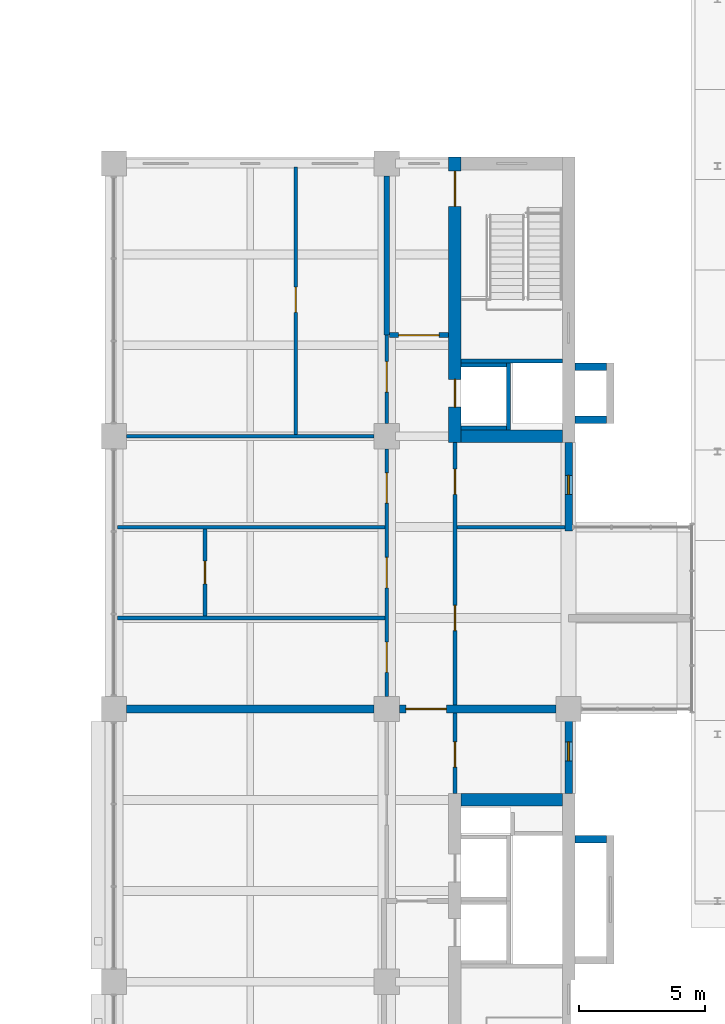
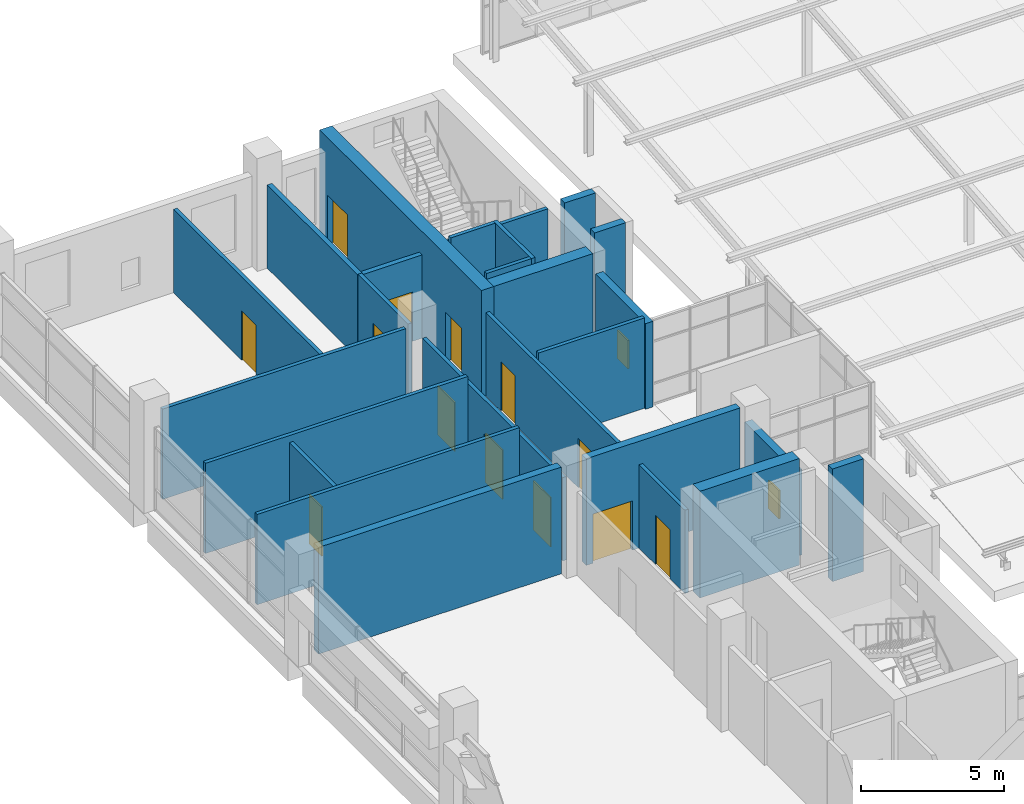
# One storey, part 39 of 44: 26 walls, 13 doors, 2 windows, 15 openings.
"""IFC4 building model written with IfcOpenShell, lengths in metres."""

import ifcopenshell
import ifcopenshell.guid

model = None  # the IFC model being written
_history = None  # IfcOwnerHistory: only IFC2X3 demands one
_inside = {}  # id of a spatial element -> (the spatial element, [elements in it])
_under = {}  # id of a project, library or spatial element -> (it, [spatial elements below it])
_declared = {}  # id of a project -> (the project, [libraries it declares])
_typed = {}  # id of a type object -> (the type object, [elements of that type])
_made_of = {}  # id of a material, layer set ... -> (it, [elements and type objects made of it])


def new_model(schema):
    """Start an empty IFC model of exactly this schema.

    Asked for "IFC4X3", IfcOpenShell would pick the latest addendum, in which some entities
    have other attributes; the version numbers below select the first issue.
    IFC2X3 requires an IfcOwnerHistory on every rooted entity: one is made here for all.
    """
    global model, _history
    if schema == "IFC4X3":
        model = ifcopenshell.file(schema_version=(4, 3, 0, 0))
    else:
        model = ifcopenshell.file(schema=schema)
    _inside.clear()
    _under.clear()
    _declared.clear()
    _typed.clear()
    _made_of.clear()
    _history = None
    if model.schema == "IFC2X3":
        org = make("IfcOrganization", Name="unknown")
        user = make(
            "IfcPersonAndOrganization",
            ThePerson=make("IfcPerson", FamilyName="unknown"),
            TheOrganization=org,
        )
        app = make(
            "IfcApplication",
            ApplicationDeveloper=org,
            Version="unknown",
            ApplicationFullName="unknown",
            ApplicationIdentifier="unknown",
        )
        _history = make(
            "IfcOwnerHistory",
            OwningUser=user,
            OwningApplication=app,
            ChangeAction="ADDED",
            CreationDate=0,
        )
    return model


def make(cls, **values):
    """One entity of the class cls with the attributes given. An attribute that is None is left unset."""
    return model.create_entity(
        cls, **{name: value for name, value in values.items() if value is not None}
    )


def rooted(cls, **values):
    """An entity with a GlobalId (a new one), such as an element, a storey or a relation."""
    return make(cls, GlobalId=ifcopenshell.guid.new(), OwnerHistory=_history, **values)


def si_unit(unit_type, name, prefix=None):
    """IfcSIUnit, for example si_unit("LENGTHUNIT", "METRE", prefix="MILLI")."""
    return make("IfcSIUnit", UnitType=unit_type, Prefix=prefix, Name=name)


def assignment(units):
    """IfcUnitAssignment: the units of a project."""
    return None if units is None else make("IfcUnitAssignment", Units=units)


def point(xyz):
    """IfcCartesianPoint."""
    return None if xyz is None else make("IfcCartesianPoint", Coordinates=xyz)


def direction(xyz):
    """IfcDirection."""
    return None if xyz is None else make("IfcDirection", DirectionRatios=xyz)


def frame(location, z_axis=None, x_axis=None):
    """IfcAxis2Placement3D, a coordinate frame: its origin and axes. An axis left out is left unset."""
    return make(
        "IfcAxis2Placement3D",
        Location=point(location),
        Axis=direction(z_axis),
        RefDirection=direction(x_axis),
    )


def frame_2d(location, x_axis=None):
    """IfcAxis2Placement2D, a coordinate frame in the plane: its origin and x axis."""
    return make(
        "IfcAxis2Placement2D", Location=point(location), RefDirection=direction(x_axis)
    )


def origin():
    """The frame at (0, 0, 0) with its axes left unset."""
    return frame((0.0, 0.0, 0.0))


def place(relative_to, where):
    """IfcLocalPlacement: puts the frame where relative to a parent placement (None: the world)."""
    return make(
        "IfcLocalPlacement", PlacementRelTo=relative_to, RelativePlacement=where
    )


def context(
    kind, dimensions, precision=None, world=None, true_north=None, identifier=None
):
    """IfcGeometricRepresentationContext, for example the 3D "Model" context."""
    return make(
        "IfcGeometricRepresentationContext",
        ContextIdentifier=identifier,
        ContextType=kind,
        CoordinateSpaceDimension=dimensions,
        Precision=precision,
        WorldCoordinateSystem=world,
        TrueNorth=true_north,
    )


def subcontext(parent, identifier, kind, view, scale=None):
    """IfcGeometricRepresentationSubContext, for example "Body" below "Model"."""
    return make(
        "IfcGeometricRepresentationSubContext",
        ContextIdentifier=identifier,
        ContextType=kind,
        ParentContext=parent,
        TargetScale=scale,
        TargetView=view,
    )


def project(units=None, contexts=None):
    """IfcProject with its units and contexts."""
    return rooted(
        "IfcProject",
        Name="project",
        RepresentationContexts=contexts,
        UnitsInContext=assignment(units),
    )


def spatial(cls, under=None, at=None, **own):
    """A site, building, storey or space (cls), placed at a placement, below another one or the project."""
    s = rooted(cls, ObjectPlacement=at, **own)
    if under is not None:
        _under.setdefault(under.id(), (under, []))[1].append(s)
    return s


def profile(cls, at=None, kind="AREA", **sizes):
    """A parametric profile (cls). Its sizes go by their IFC names, for example OverallWidth=200.0."""
    return make(cls, ProfileType=kind, Position=at, **sizes)


def rectangle(**sizes):
    """IfcRectangleProfileDef."""
    return profile("IfcRectangleProfileDef", **sizes)


def extrude(swept, where, along, depth):
    """IfcExtrudedAreaSolid: the profile swept, set in the frame where, extruded along a direction by depth."""
    return make(
        "IfcExtrudedAreaSolid",
        SweptArea=swept,
        Position=where,
        ExtrudedDirection=direction(along),
        Depth=depth,
    )


def shape(context_of_items, identifier, shape_type, items):
    """IfcShapeRepresentation: the items that make up one representation, for example the "Body"."""
    return make(
        "IfcShapeRepresentation",
        ContextOfItems=context_of_items,
        RepresentationIdentifier=identifier,
        RepresentationType=shape_type,
        Items=items,
    )


def material(Name=None, Category=None):
    """IfcMaterial."""
    return make("IfcMaterial", Name=Name, Category=Category)


def layer(
    of_material, thickness, ventilated=None, Name=None, Category=None, Priority=None
):
    """IfcMaterialLayer: one layer of a wall or slab, of a material (None: an air gap)."""
    return make(
        "IfcMaterialLayer",
        Material=of_material,
        LayerThickness=thickness,
        IsVentilated=ventilated,
        Name=Name,
        Category=Category,
        Priority=Priority,
    )


def layer_set(layers, Name=None):
    """IfcMaterialLayerSet."""
    return make("IfcMaterialLayerSet", MaterialLayers=layers, LayerSetName=Name)


def made_of(thing, what):
    """Note that an element or type object is made of a material, layer set ...; save() writes the relation."""
    if what is not None:
        _made_of.setdefault(what.id(), (what, []))[1].append(thing)
    return thing


def type_object(cls, material=None, **own):
    """A type object (cls), such as IfcWallType, which elements share."""
    return made_of(rooted(cls, **own), material)


def element(
    cls,
    number,
    at=None,
    inside=None,
    cuts=None,
    type_object=None,
    material=None,
    context=None,
    identifier="Body",
    shape_type=None,
    held_by="IfcProductDefinitionShape",
    body=None,
    shapes=None,
    **own,
):
    """One element of the class cls, such as IfcWall. Its Tag is "e" and its number.

    at: its placement. inside: the storey or other place that contains it. cuts: it is an
    opening in that element (IfcRelVoidsElement). A single representation is given by context,
    identifier, shape_type and body (its items); several are given by shapes. held_by: the class
    of the entity that holds the representations. save() writes the other relations.
    """
    e = rooted(cls, Tag="e%d" % number, ObjectPlacement=at, **own)
    if body is not None:
        shapes = [shape(context, identifier, shape_type, body)]
    if shapes is not None:
        e.Representation = make(held_by, Representations=shapes)
    if inside is not None:
        _inside.setdefault(inside.id(), (inside, []))[1].append(e)
    if cuts is not None:
        rooted(
            "IfcRelVoidsElement", RelatingBuildingElement=cuts, RelatedOpeningElement=e
        )
    if type_object is not None:
        _typed.setdefault(type_object.id(), (type_object, []))[1].append(e)
    return made_of(e, material)


def fill(opening, filler):
    """IfcRelFillsElement: the door or window that sits in an opening."""
    return rooted(
        "IfcRelFillsElement",
        RelatingOpeningElement=opening,
        RelatedBuildingElement=filler,
    )


def aggregate(whole, parts):
    """IfcRelAggregates: a whole, such as a stair, and the parts it consists of."""
    return rooted("IfcRelAggregates", RelatingObject=whole, RelatedObjects=parts)


def save(model, path):
    """Write the relations noted so far, then the file.

    IfcRelAggregates (storeys below a building ...), IfcRelContainedInSpatialStructure (elements
    in a storey), IfcRelDefinesByType, IfcRelAssociatesMaterial and IfcRelDeclares: one each for
    every whole, place, type object, material and project.
    """
    for whole, parts in _under.values():
        aggregate(whole, parts)
    for where, things in _inside.values():
        rooted(
            "IfcRelContainedInSpatialStructure",
            RelatedElements=things,
            RelatingStructure=where,
        )
    for kind, things in _typed.values():
        rooted("IfcRelDefinesByType", RelatedObjects=things, RelatingType=kind)
    for what, things in _made_of.values():
        rooted("IfcRelAssociatesMaterial", RelatedObjects=things, RelatingMaterial=what)
    for by, libraries in _declared.values():
        rooted("IfcRelDeclares", RelatingContext=by, RelatedDefinitions=libraries)
    model.write(path)


model = new_model("IFC4")

# Units and contexts
model_context = context("Model", 3, precision=1e-05, world=origin(), true_north=direction((0.0, 1.0)))
body_context = subcontext(model_context, "Body", "Model", "MODEL_VIEW")
ifc_project = project(units=[si_unit("LENGTHUNIT", "METRE"), si_unit("AREAUNIT", "SQUARE_METRE"), si_unit("VOLUMEUNIT", "CUBIC_METRE"), si_unit("PLANEANGLEUNIT", "RADIAN"), si_unit("MASSUNIT", "GRAM", prefix="KILO")], contexts=[model_context])

# Site, building, storey
site_placement = place(None, origin())
site = spatial("IfcSite", under=ifc_project, at=site_placement, CompositionType="ELEMENT")
building_placement = place(site_placement, origin())
building = spatial("IfcBuilding", under=site, at=building_placement, Name="Basin Gate Institute", CompositionType="ELEMENT")
storey_placement = place(building_placement, frame((0.0, 0.0, 27.0)))
storey = spatial("IfcBuildingStorey", under=building, at=storey_placement, Name="L05", CompositionType="ELEMENT", Elevation=27.0)

# Wall, opening, door
ifc_material_1 = material(Name="Fire-rated masonry", Category="masonry")
ifc_layer_1 = layer(ifc_material_1, 0.199951171875)
ifc_layer_set_1 = layer_set([ifc_layer_1], Name="Enclosure wall PW2 200 EI 60")
wall_type_1 = type_object("IfcWallType", Name="Enclosure wall PW2 200 EI 60", PredefinedType="PARTITIONING", material=ifc_layer_set_1)
wall_1_placement = place(storey_placement, frame((114.050048828125, 93.10009765625, 0.0), z_axis=(0.0, 0.0, 1.0), x_axis=(-1.0, 0.0, 0.0)))
wall_1 = element("IfcWall", 1, at=wall_1_placement, inside=storey, type_object=wall_type_1, material=ifc_layer_set_1, Name="Smoke lobby enclosure wall PW2 L05", PredefinedType="PARTITIONING", context=body_context, shape_type="SweptSolid", body=[
    extrude(rectangle(XDim=2.35009765625, YDim=0.199951171875, at=frame_2d((1.175048828125, 0.0))), origin(), (0.0, 0.0, 1.0), 3.550048828125),
])
opening_1_placement = place(wall_1_placement, frame((0.375, 0.0, 0.0)))
opening_1 = element("IfcOpeningElement", 2, at=opening_1_placement, cuts=wall_1, Name="Opening DR264", PredefinedType="OPENING", context=body_context, shape_type="SweptSolid", body=[
    extrude(rectangle(XDim=1.60009765625, YDim=2.10009765625, at=frame_2d((0.800048828125, 1.050048828125))), frame((0.0, 0.10986328125, 0.0), z_axis=(0.0, -1.0, 0.0), x_axis=(1.0, 0.0, 0.0)), (0.0, 0.0, 1.0), 0.219970703125),
])
ifc_material_2 = material(Name="Steel fire door", Category="steel")
door_type_1 = type_object("IfcDoorType", Name="FD60 Smoke lobby door pair D8", OperationType="DOUBLE_DOOR_SINGLE_SWING", PredefinedType="DOOR", material=ifc_material_2)
door_1_placement = place(opening_1_placement, frame((1.60009765625, 0.0, 0.0), z_axis=(0.0, 0.0, 1.0), x_axis=(-1.0, 0.0, 0.0)))
door_1 = element("IfcDoor", 3, at=door_1_placement, inside=storey, type_object=door_type_1, material=ifc_material_2, Name="Smoke lobby door SS6 L05", OperationType="DOUBLE_DOOR_SINGLE_SWING", OverallHeight=2.10009765625, OverallWidth=1.60009765625, PredefinedType="DOOR", context=body_context, shape_type="SweptSolid", body=[
    extrude(rectangle(XDim=1.60009765625, YDim=2.10009765625, at=frame_2d((0.800048828125, 1.050048828125))), frame((0.0, 0.02490234375, 0.0), z_axis=(0.0, -1.0, 0.0), x_axis=(1.0, 0.0, 0.0)), (0.0, 0.0, 1.0), 0.050048828125),
])
fill(opening_1, door_1)

# Wall
wall_2_placement = place(storey_placement, frame((111.60009765625, 93.10009765625, 0.0), z_axis=(0.0, 0.0, 1.0), x_axis=(0.0, 1.0, 0.0)))
element("IfcWall", 4, at=wall_2_placement, inside=storey, type_object=wall_type_1, material=ifc_layer_set_1, Name="Smoke lobby enclosure wall PW2 L05", PredefinedType="PARTITIONING", context=body_context, shape_type="SweptSolid", body=[
    extrude(rectangle(XDim=6.2998046875, YDim=0.199951171875, at=frame_2d((3.14990234375, 0.0))), origin(), (0.0, 0.0, 1.0), 3.550048828125),
])

# Wall, opening, window
ifc_material_3 = material(Name="Aluminium-faced insulated panel wall", Category="aluminium")
ifc_layer_2 = layer(ifc_material_3, 0.300048828125)
ifc_layer_set_2 = layer_set([ifc_layer_2], Name="External wall EW1 EI 120")
wall_type_2 = type_object("IfcWallType", Name="External wall EW1 EI 120", PredefinedType="STANDARD", material=ifc_layer_set_2)
wall_3_placement = place(storey_placement, frame((118.800048828125, 74.949951171875, 0.0), z_axis=(0.0, 0.0, 1.0), x_axis=(0.0, 1.0, 0.0)))
wall_3 = element("IfcWall", 5, at=wall_3_placement, inside=storey, type_object=wall_type_2, material=ifc_layer_set_2, Name="External wall E facade L05 1", PredefinedType="STANDARD", context=body_context, shape_type="SweptSolid", body=[
    extrude(rectangle(XDim=3.5, YDim=0.300048828125, at=frame_2d((1.75, 0.0))), origin(), (0.0, 0.0, 1.0), 3.64990234375),
])
opening_2_placement = place(wall_3_placement, frame((1.300048828125, 0.0, 0.800048828125)))
opening_2 = element("IfcOpeningElement", 6, at=opening_2_placement, cuts=wall_3, Name="Opening WN3", PredefinedType="OPENING", context=body_context, shape_type="SweptSolid", body=[
    extrude(rectangle(XDim=0.75, YDim=1.199951171875, at=frame_2d((0.375, 0.60009765625))), frame((0.0, 0.16015625, 0.0), z_axis=(0.0, -1.0, 0.0), x_axis=(1.0, 0.0, 0.0)), (0.0, 0.0, 1.0), 0.320068359375),
])
ifc_material_4 = material(Name="Aluminium-framed double glazing", Category="aluminium")
window_type = type_object("IfcWindowType", Name="Emergency entry panel WN3", PartitioningType="SINGLE_PANEL", PredefinedType="WINDOW", material=ifc_material_4)
window_1_placement = place(opening_2_placement, origin())
window_1 = element("IfcWindow", 7, at=window_1_placement, inside=storey, type_object=window_type, material=ifc_material_4, Name="Emergency entry panel E facade L05 bay 12", OverallHeight=1.199951171875, OverallWidth=0.75, PartitioningType="SINGLE_PANEL", PredefinedType="WINDOW", context=body_context, shape_type="SweptSolid", body=[
    extrude(rectangle(XDim=0.75, YDim=1.199951171875, at=frame_2d((0.375, 0.60009765625))), frame((0.0, 0.030029296875, 0.0), z_axis=(0.0, -1.0, 0.0), x_axis=(1.0, 0.0, 0.0)), (0.0, 0.0, 1.0), 0.06005859375),
])
fill(opening_2, window_1)

wall_4_placement = place(storey_placement, frame((118.800048828125, 85.35009765625, 0.0), z_axis=(0.0, 0.0, 1.0), x_axis=(0.0, 1.0, 0.0)))
wall_4 = element("IfcWall", 8, at=wall_4_placement, inside=storey, type_object=wall_type_2, material=ifc_layer_set_2, Name="External wall E facade L05 2", PredefinedType="STANDARD", context=body_context, shape_type="SweptSolid", body=[
    extrude(rectangle(XDim=3.5, YDim=0.300048828125, at=frame_2d((1.75, 0.0))), origin(), (0.0, 0.0, 1.0), 3.64990234375),
])
opening_3_placement = place(wall_4_placement, frame((1.449951171875, 0.0, 0.800048828125)))
opening_3 = element("IfcOpeningElement", 9, at=opening_3_placement, cuts=wall_4, Name="Opening WN3", PredefinedType="OPENING", context=body_context, shape_type="SweptSolid", body=[
    extrude(rectangle(XDim=0.75, YDim=1.199951171875, at=frame_2d((0.375, 0.60009765625))), frame((0.0, 0.16015625, 0.0), z_axis=(0.0, -1.0, 0.0), x_axis=(1.0, 0.0, 0.0)), (0.0, 0.0, 1.0), 0.320068359375),
])
window_2_placement = place(opening_3_placement, origin())
window_2 = element("IfcWindow", 10, at=window_2_placement, inside=storey, type_object=window_type, material=ifc_material_4, Name="Emergency entry panel E facade L05 bay 15", OverallHeight=1.199951171875, OverallWidth=0.75, PartitioningType="SINGLE_PANEL", PredefinedType="WINDOW", context=body_context, shape_type="SweptSolid", body=[
    extrude(rectangle(XDim=0.75, YDim=1.199951171875, at=frame_2d((0.375, 0.60009765625))), frame((0.0, 0.030029296875, 0.0), z_axis=(0.0, -1.0, 0.0), x_axis=(1.0, 0.0, 0.0)), (0.0, 0.0, 1.0), 0.06005859375),
])
fill(opening_3, window_2)

# Wall, opening, door
ifc_material_5 = material(Name="Gypsum board on steel stud", Category="steel")
ifc_layer_3 = layer(ifc_material_5, 0.14990234375)
ifc_layer_set_3 = layer_set([ifc_layer_3], Name="Gypsum board on steel stud")
wall_type_3 = type_object("IfcWallType", Name="Partition PW1 150 EI 60", PredefinedType="PARTITIONING", material=ifc_layer_set_3)
wall_5_placement = place(storey_placement, frame((114.300048828125, 74.949951171875, 0.0), z_axis=(0.0, 0.0, 1.0), x_axis=(0.0, 1.0, 0.0)))
wall_5 = element("IfcWall", 11, at=wall_5_placement, inside=storey, type_object=wall_type_3, material=ifc_layer_set_3, Name="Corridor wall PW1 L05", PredefinedType="PARTITIONING", context=body_context, shape_type="SweptSolid", body=[
    extrude(rectangle(XDim=3.199951171875, YDim=0.14990234375, at=frame_2d((1.60009765625, 0.0))), origin(), (0.0, 0.0, 1.0), 3.550048828125),
])
opening_4_placement = place(wall_5_placement, frame((1.050048828125, 0.0, 0.0)))
opening_4 = element("IfcOpeningElement", 12, at=opening_4_placement, cuts=wall_5, Name="Opening DR257", PredefinedType="OPENING", context=body_context, shape_type="SweptSolid", body=[
    extrude(rectangle(XDim=1.0, YDim=2.10009765625, at=frame_2d((0.5, 1.050048828125))), frame((0.0, 0.0849609375, 0.0), z_axis=(0.0, -1.0, 0.0), x_axis=(1.0, 0.0, 0.0)), (0.0, 0.0, 1.0), 0.169921875),
])
ifc_material_6 = material(Name="Timber fire door", Category="wood")
door_type_2 = type_object("IfcDoorType", Name="FD30 Toilet door D3", OperationType="NOTDEFINED", PredefinedType="DOOR", material=ifc_material_6)
door_2_placement = place(opening_4_placement, frame((1.0, 0.0, 0.0), z_axis=(0.0, 0.0, 1.0), x_axis=(-1.0, 0.0, 0.0)))
door_2 = element("IfcDoor", 13, at=door_2_placement, inside=storey, type_object=door_type_2, material=ifc_material_6, Name="Door to Male WC L05", OperationType="SINGLE_SWING_RIGHT", OverallHeight=2.10009765625, OverallWidth=1.0, PredefinedType="DOOR", context=body_context, shape_type="SweptSolid", body=[
    extrude(rectangle(XDim=1.0, YDim=2.10009765625, at=frame_2d((0.5, 1.050048828125))), frame((0.0, 0.02490234375, 0.0), z_axis=(0.0, -1.0, 0.0), x_axis=(1.0, 0.0, 0.0)), (0.0, 0.0, 1.0), 0.050048828125),
])
fill(opening_4, door_2)

# Wall, openings, doors
wall_6_placement = place(storey_placement, frame((114.300048828125, 78.449951171875, 0.0), z_axis=(0.0, 0.0, 1.0), x_axis=(0.0, 1.0, 0.0)))
wall_6 = element("IfcWall", 14, at=wall_6_placement, inside=storey, type_object=wall_type_3, material=ifc_layer_set_3, Name="Corridor wall PW1 L05", PredefinedType="PARTITIONING", context=body_context, shape_type="SweptSolid", body=[
    extrude(rectangle(XDim=10.400146484375, YDim=0.14990234375, at=frame_2d((5.2001953125, 0.0))), origin(), (0.0, 0.0, 1.0), 3.550048828125),
])
opening_5_placement = place(wall_6_placement, frame((8.35009765625, 0.0, 0.0)))
opening_5 = element("IfcOpeningElement", 15, at=opening_5_placement, cuts=wall_6, Name="Opening DR250", PredefinedType="OPENING", context=body_context, shape_type="SweptSolid", body=[
    extrude(rectangle(XDim=1.0, YDim=2.10009765625, at=frame_2d((0.5, 1.050048828125))), frame((0.0, 0.0849609375, 0.0), z_axis=(0.0, -1.0, 0.0), x_axis=(1.0, 0.0, 0.0)), (0.0, 0.0, 1.0), 0.169921875),
])
opening_6_placement = place(wall_6_placement, frame((2.949951171875, 0.0, 0.0)))
opening_6 = element("IfcOpeningElement", 16, at=opening_6_placement, cuts=wall_6, Name="Opening DR258", PredefinedType="OPENING", context=body_context, shape_type="SweptSolid", body=[
    extrude(rectangle(XDim=1.0, YDim=2.10009765625, at=frame_2d((0.5, 1.050048828125))), frame((0.0, 0.0849609375, 0.0), z_axis=(0.0, -1.0, 0.0), x_axis=(1.0, 0.0, 0.0)), (0.0, 0.0, 1.0), 0.169921875),
])
ifc_material_7 = material(Name="Timber fire door", Category="wood")
door_type_3 = type_object("IfcDoorType", Name="FD30 Office door D1", OperationType="NOTDEFINED", PredefinedType="DOOR", material=ifc_material_7)
door_3_placement = place(opening_6_placement, frame((1.0, 0.0, 0.0), z_axis=(0.0, 0.0, 1.0), x_axis=(-1.0, 0.0, 0.0)))
door_3 = element("IfcDoor", 17, at=door_3_placement, inside=storey, type_object=door_type_3, material=ifc_material_7, Name="Door to Meeting Room 0554 L05", OperationType="SINGLE_SWING_RIGHT", OverallHeight=2.10009765625, OverallWidth=1.0, PredefinedType="DOOR", context=body_context, shape_type="SweptSolid", body=[
    extrude(rectangle(XDim=1.0, YDim=2.10009765625, at=frame_2d((0.5, 1.050048828125))), frame((0.0, 0.02490234375, 0.0), z_axis=(0.0, -1.0, 0.0), x_axis=(1.0, 0.0, 0.0)), (0.0, 0.0, 1.0), 0.050048828125),
])
fill(opening_6, door_3)
door_4_placement = place(opening_5_placement, frame((1.0, 0.0, 0.0), z_axis=(0.0, 0.0, 1.0), x_axis=(-1.0, 0.0, 0.0)))
door_4 = element("IfcDoor", 18, at=door_4_placement, inside=storey, type_object=door_type_2, material=ifc_material_6, Name="Door to Female WC L05", OperationType="SINGLE_SWING_LEFT", OverallHeight=2.10009765625, OverallWidth=1.0, PredefinedType="DOOR", context=body_context, shape_type="SweptSolid", body=[
    extrude(rectangle(XDim=1.0, YDim=2.10009765625, at=frame_2d((0.5, 1.050048828125))), frame((0.0, 0.02490234375, 0.0), z_axis=(0.0, -1.0, 0.0), x_axis=(1.0, 0.0, 0.0)), (0.0, 0.0, 1.0), 0.050048828125),
])
fill(opening_5, door_4)

wall_7_placement = place(storey_placement, frame((111.60009765625, 78.800048828125, 0.0), z_axis=(0.0, 0.0, 1.0), x_axis=(0.0, 1.0, 0.0)))
wall_7 = element("IfcWall", 19, at=wall_7_placement, inside=storey, type_object=wall_type_3, material=ifc_layer_set_3, Name="Laboratory corridor wall PW1 L05", PredefinedType="PARTITIONING", context=body_context, shape_type="SweptSolid", body=[
    extrude(rectangle(XDim=9.800048828125, YDim=0.14990234375, at=frame_2d((4.89990234375, 0.0))), origin(), (0.0, 0.0, 1.0), 3.550048828125),
])
opening_7_placement = place(wall_7_placement, frame((4.300048828125, 0.0, 0.0)))
opening_7 = element("IfcOpeningElement", 20, at=opening_7_placement, cuts=wall_7, Name="Opening DR247", PredefinedType="OPENING", context=body_context, shape_type="SweptSolid", body=[
    extrude(rectangle(XDim=1.199951171875, YDim=2.10009765625, at=frame_2d((0.60009765625, 1.050048828125))), frame((0.0, 0.0849609375, 0.0), z_axis=(0.0, -1.0, 0.0), x_axis=(1.0, 0.0, 0.0)), (0.0, 0.0, 1.0), 0.169921875),
])
opening_8_placement = place(wall_7_placement, frame((0.949951171875, 0.0, 0.0)))
opening_8 = element("IfcOpeningElement", 21, at=opening_8_placement, cuts=wall_7, Name="Opening DR254", PredefinedType="OPENING", context=body_context, shape_type="SweptSolid", body=[
    extrude(rectangle(XDim=1.199951171875, YDim=2.10009765625, at=frame_2d((0.60009765625, 1.050048828125))), frame((0.0, 0.0849609375, 0.0), z_axis=(0.0, -1.0, 0.0), x_axis=(1.0, 0.0, 0.0)), (0.0, 0.0, 1.0), 0.169921875),
])
opening_9_placement = place(wall_7_placement, frame((7.64990234375, 0.0, 0.0)))
opening_9 = element("IfcOpeningElement", 22, at=opening_9_placement, cuts=wall_7, Name="Opening DR255", PredefinedType="OPENING", context=body_context, shape_type="SweptSolid", body=[
    extrude(rectangle(XDim=1.199951171875, YDim=2.10009765625, at=frame_2d((0.60009765625, 1.050048828125))), frame((0.0, 0.0849609375, 0.0), z_axis=(0.0, -1.0, 0.0), x_axis=(1.0, 0.0, 0.0)), (0.0, 0.0, 1.0), 0.169921875),
])
ifc_material_8 = material(Name="Timber fire door", Category="wood")
door_type_4 = type_object("IfcDoorType", Name="FD30 Laboratory door D2", OperationType="DOUBLE_DOOR_SINGLE_SWING", PredefinedType="DOOR", material=ifc_material_8)
door_5_placement = place(opening_7_placement, origin())
door_5 = element("IfcDoor", 23, at=door_5_placement, inside=storey, type_object=door_type_4, material=ifc_material_8, Name="Door to Dry Laboratory 0569 L05", OperationType="DOUBLE_DOOR_SINGLE_SWING", OverallHeight=2.10009765625, OverallWidth=1.199951171875, PredefinedType="DOOR", context=body_context, shape_type="SweptSolid", body=[
    extrude(rectangle(XDim=1.199951171875, YDim=2.10009765625, at=frame_2d((0.60009765625, 1.050048828125))), frame((0.0, 0.02490234375, 0.0), z_axis=(0.0, -1.0, 0.0), x_axis=(1.0, 0.0, 0.0)), (0.0, 0.0, 1.0), 0.050048828125),
])
fill(opening_7, door_5)
door_6_placement = place(opening_8_placement, origin())
door_6 = element("IfcDoor", 24, at=door_6_placement, inside=storey, type_object=door_type_4, material=ifc_material_8, Name="Door to Instrument Room 0568 L05", OperationType="DOUBLE_DOOR_SINGLE_SWING", OverallHeight=2.10009765625, OverallWidth=1.199951171875, PredefinedType="DOOR", context=body_context, shape_type="SweptSolid", body=[
    extrude(rectangle(XDim=1.199951171875, YDim=2.10009765625, at=frame_2d((0.60009765625, 1.050048828125))), frame((0.0, 0.02490234375, 0.0), z_axis=(0.0, -1.0, 0.0), x_axis=(1.0, 0.0, 0.0)), (0.0, 0.0, 1.0), 0.050048828125),
])
fill(opening_8, door_6)
door_7_placement = place(opening_9_placement, origin())
door_7 = element("IfcDoor", 25, at=door_7_placement, inside=storey, type_object=door_type_4, material=ifc_material_8, Name="Door to Instrument Room 0571 L05", OperationType="DOUBLE_DOOR_SINGLE_SWING", OverallHeight=2.10009765625, OverallWidth=1.199951171875, PredefinedType="DOOR", context=body_context, shape_type="SweptSolid", body=[
    extrude(rectangle(XDim=1.199951171875, YDim=2.10009765625, at=frame_2d((0.60009765625, 1.050048828125))), frame((0.0, 0.02490234375, 0.0), z_axis=(0.0, -1.0, 0.0), x_axis=(1.0, 0.0, 0.0)), (0.0, 0.0, 1.0), 0.050048828125),
])
fill(opening_9, door_7)

# Wall, opening, door
wall_8_placement = place(storey_placement, frame((111.60009765625, 89.60009765625, 0.0), z_axis=(0.0, 0.0, 1.0), x_axis=(0.0, 1.0, 0.0)))
wall_8 = element("IfcWall", 26, at=wall_8_placement, inside=storey, type_object=wall_type_3, material=ifc_layer_set_3, Name="Laboratory corridor wall PW1 L05", PredefinedType="PARTITIONING", context=body_context, shape_type="SweptSolid", body=[
    extrude(rectangle(XDim=3.5, YDim=0.14990234375, at=frame_2d((1.75, 0.0))), origin(), (0.0, 0.0, 1.0), 3.550048828125),
])
opening_10_placement = place(wall_8_placement, frame((1.25, 0.0, 0.0)))
opening_10 = element("IfcOpeningElement", 27, at=opening_10_placement, cuts=wall_8, Name="Opening DR251", PredefinedType="OPENING", context=body_context, shape_type="SweptSolid", body=[
    extrude(rectangle(XDim=1.199951171875, YDim=2.10009765625, at=frame_2d((0.60009765625, 1.050048828125))), frame((0.0, 0.0849609375, 0.0), z_axis=(0.0, -1.0, 0.0), x_axis=(1.0, 0.0, 0.0)), (0.0, 0.0, 1.0), 0.169921875),
])
door_8_placement = place(opening_10_placement, origin())
door_8 = element("IfcDoor", 28, at=door_8_placement, inside=storey, type_object=door_type_4, material=ifc_material_8, Name="Door to Gowning Airlock 0572 L05", OperationType="DOUBLE_DOOR_SINGLE_SWING", OverallHeight=2.10009765625, OverallWidth=1.199951171875, PredefinedType="DOOR", context=body_context, shape_type="SweptSolid", body=[
    extrude(rectangle(XDim=1.199951171875, YDim=2.10009765625, at=frame_2d((0.60009765625, 1.050048828125))), frame((0.0, 0.02490234375, 0.0), z_axis=(0.0, -1.0, 0.0), x_axis=(1.0, 0.0, 0.0)), (0.0, 0.0, 1.0), 0.050048828125),
])
fill(opening_10, door_8)

wall_9_placement = place(storey_placement, frame((104.39990234375, 81.97509765625, 0.0), z_axis=(0.0, 0.0, 1.0), x_axis=(0.0, 1.0, 0.0)))
wall_9 = element("IfcWall", 29, at=wall_9_placement, inside=storey, type_object=wall_type_3, material=ifc_layer_set_3, Name="Laboratory partition PW1 L05", PredefinedType="PARTITIONING", context=body_context, shape_type="SweptSolid", body=[
    extrude(rectangle(XDim=3.449951171875, YDim=0.14990234375, at=frame_2d((1.72509765625, 0.0))), origin(), (0.0, 0.0, 1.0), 3.550048828125),
])
opening_11_placement = place(wall_9_placement, frame((1.27490234375, 0.0, 0.0)))
opening_11 = element("IfcOpeningElement", 30, at=opening_11_placement, cuts=wall_9, Name="Opening DR249", PredefinedType="OPENING", context=body_context, shape_type="SweptSolid", body=[
    extrude(rectangle(XDim=0.89990234375, YDim=2.10009765625, at=frame_2d((0.449951171875, 1.050048828125))), frame((0.0, 0.0849609375, 0.0), z_axis=(0.0, -1.0, 0.0), x_axis=(1.0, 0.0, 0.0)), (0.0, 0.0, 1.0), 0.169921875),
])
ifc_material_9 = material(Name="Steel fire door", Category="steel")
door_type_5 = type_object("IfcDoorType", Name="FD60 Riser door D10", OperationType="NOTDEFINED", PredefinedType="DOOR", material=ifc_material_9)
door_9_placement = place(opening_11_placement, origin())
door_9 = element("IfcDoor", 31, at=door_9_placement, inside=storey, type_object=door_type_5, material=ifc_material_9, Name="Door to Exhaust Riser Room 0570 L05", OperationType="SINGLE_SWING_LEFT", OverallHeight=2.10009765625, OverallWidth=0.89990234375, PredefinedType="DOOR", context=body_context, shape_type="SweptSolid", body=[
    extrude(rectangle(XDim=0.89990234375, YDim=2.10009765625, at=frame_2d((0.449951171875, 1.050048828125))), frame((0.0, 0.02490234375, 0.0), z_axis=(0.0, -1.0, 0.0), x_axis=(1.0, 0.0, 0.0)), (0.0, 0.0, 1.0), 0.050048828125),
])
fill(opening_11, door_9)

wall_10_placement = place(storey_placement, frame((108.0, 89.175048828125, 0.0), z_axis=(0.0, 0.0, 1.0), x_axis=(0.0, 1.0, 0.0)))
wall_10 = element("IfcWall", 32, at=wall_10_placement, inside=storey, type_object=wall_type_3, material=ifc_layer_set_3, Name="Clean room wall PW1 L05", PredefinedType="PARTITIONING", context=body_context, shape_type="SweptSolid", body=[
    extrude(rectangle(XDim=10.574951171875, YDim=0.14990234375, at=frame_2d((5.28759765625, 0.0))), origin(), (0.0, 0.0, 1.0), 3.550048828125),
])
opening_12_placement = place(wall_10_placement, frame((4.824951171875, 0.0, 0.0)))
opening_12 = element("IfcOpeningElement", 33, at=opening_12_placement, cuts=wall_10, Name="Opening DR245", PredefinedType="OPENING", context=body_context, shape_type="SweptSolid", body=[
    extrude(rectangle(XDim=1.0, YDim=2.10009765625, at=frame_2d((0.5, 1.050048828125))), frame((0.0, 0.0849609375, 0.0), z_axis=(0.0, -1.0, 0.0), x_axis=(1.0, 0.0, 0.0)), (0.0, 0.0, 1.0), 0.169921875),
])
ifc_material_10 = material(Name="Steel fire door", Category="steel")
door_type_6 = type_object("IfcDoorType", Name="FD30 Airlock door D5", OperationType="NOTDEFINED", PredefinedType="DOOR", material=ifc_material_10)
door_10_placement = place(opening_12_placement, origin())
door_10 = element("IfcDoor", 34, at=door_10_placement, inside=storey, type_object=door_type_6, material=ifc_material_10, Name="Clean room entry door Clean Room ISO 6 0572 L05", OperationType="SINGLE_SWING_LEFT", OverallHeight=2.10009765625, OverallWidth=1.0, PredefinedType="DOOR", context=body_context, shape_type="SweptSolid", body=[
    extrude(rectangle(XDim=1.0, YDim=2.10009765625, at=frame_2d((0.5, 1.050048828125))), frame((0.0, 0.02490234375, 0.0), z_axis=(0.0, -1.0, 0.0), x_axis=(1.0, 0.0, 0.0)), (0.0, 0.0, 1.0), 0.050048828125),
])
fill(opening_12, door_10)

# Walls
for number, where, z_axis, x_axis, name in (
    (35, (111.52490234375, 81.89990234375, 0.0), (0.0, 0.0, 1.0), (-1.0, 0.0, 0.0), "Laboratory partition PW1 L05"),
    (36, (111.52490234375, 85.5, 0.0), (0.0, 0.0, 1.0), (-1.0, 0.0, 0.0), "Laboratory partition PW1 L05"),
):
    element("IfcWall", number, at=place(storey_placement, frame(where, z_axis=z_axis, x_axis=x_axis)), inside=storey, type_object=wall_type_3, material=ifc_layer_set_3, Name=name, PredefinedType="PARTITIONING", context=body_context, shape_type="SweptSolid", body=[
        extrude(rectangle(XDim=10.574951171875, YDim=0.14990234375, at=frame_2d((5.28759765625, 0.0))), origin(), (0.0, 0.0, 1.0), 3.85009765625),
    ])
wall_11_placement = place(storey_placement, frame((111.10009765625, 89.10009765625, 0.0), z_axis=(0.0, 0.0, 1.0), x_axis=(-1.0, 0.0, 0.0)))
element("IfcWall", 37, at=wall_11_placement, inside=storey, type_object=wall_type_3, material=ifc_layer_set_3, Name="Clean room wall PW1 L05", PredefinedType="PARTITIONING", context=body_context, shape_type="SweptSolid", body=[
    extrude(rectangle(XDim=9.800048828125, YDim=0.14990234375, at=frame_2d((4.89990234375, 0.0))), origin(), (0.0, 0.0, 1.0), 3.85009765625),
])
ifc_material_11 = material(Name="Gypsum board on steel stud", Category="steel")
ifc_layer_4 = layer(ifc_material_11, 0.14990234375)
ifc_layer_set_4 = layer_set([ifc_layer_4], Name="Gypsum board on steel stud")
wall_type_4 = type_object("IfcWallType", Name="Partition PW4 150", PredefinedType="PARTITIONING", material=ifc_layer_set_4)
wall_12_placement = place(storey_placement, frame((118.64990234375, 85.5, 0.0), z_axis=(0.0, 0.0, 1.0), x_axis=(-1.0, 0.0, 0.0)))
element("IfcWall", 38, at=wall_12_placement, inside=storey, type_object=wall_type_4, material=ifc_layer_set_4, Name="Toilet partition PW4 L05", PredefinedType="PARTITIONING", context=body_context, shape_type="SweptSolid", body=[
    extrude(rectangle(XDim=4.27490234375, YDim=0.14990234375, at=frame_2d((2.137451171875, 0.0))), origin(), (0.0, 0.0, 1.0), 3.85009765625),
])
ifc_material_12 = material(Name="Concrete 40 MPa", Category="concrete")
ifc_layer_5 = layer(ifc_material_12, 0.14990234375)
ifc_layer_set_5 = layer_set([ifc_layer_5], Name="Concrete 40 MPa")
wall_type_5 = type_object("IfcWallType", Name="Wall LS1 lift shaft enclosure R120", PredefinedType="SOLIDWALL", material=ifc_layer_set_5)
wall_13_placement = place(storey_placement, frame((116.425048828125, 92.0, 0.0), z_axis=(0.0, 0.0, 1.0), x_axis=(0.0, -1.0, 0.0)))
element("IfcWall", 39, at=wall_13_placement, inside=storey, type_object=wall_type_5, material=ifc_layer_set_5, Name="Lift shaft enclosure LP6 L05 UL", PredefinedType="SOLIDWALL", context=body_context, shape_type="SweptSolid", body=[
    extrude(rectangle(XDim=2.64990234375, YDim=0.14990234375, at=frame_2d((1.324951171875, 0.0))), origin(), (0.0, 0.0, 1.0), 4.800048828125),
])
for number, where, z_axis, x_axis, name in (
    (40, (116.35009765625, 91.925048828125, 0.0), (0.0, 0.0, 1.0), (-1.0, 0.0, 0.0), "Lift shaft enclosure LP6 L05 RL"),
    (41, (116.35009765625, 89.425048828125, 0.0), (0.0, 0.0, 1.0), (-1.0, 0.0, 0.0), "Lift shaft enclosure LP6 L05 RH"),
):
    element("IfcWall", number, at=place(storey_placement, frame(where, z_axis=z_axis, x_axis=x_axis)), inside=storey, type_object=wall_type_5, material=ifc_layer_set_5, Name=name, PredefinedType="SOLIDWALL", context=body_context, shape_type="SweptSolid", body=[
        extrude(rectangle(XDim=1.800048828125, YDim=0.14990234375, at=frame_2d((0.89990234375, 0.0))), origin(), (0.0, 0.0, 1.0), 4.800048828125),
    ])
ifc_material_13 = material(Name="Concrete 40 MPa", Category="concrete")
ifc_layer_6 = layer(ifc_material_13, 0.14990234375)
ifc_layer_set_6 = layer_set([ifc_layer_6], Name="Concrete 40 MPa")
wall_type_6 = type_object("IfcWallType", Name="Wall SE1 stair enclosure R120", PredefinedType="SOLIDWALL", material=ifc_layer_set_6)
wall_14_placement = place(storey_placement, frame((118.550048828125, 92.074951171875, 0.0), z_axis=(0.0, 0.0, 1.0), x_axis=(-1.0, 0.0, 0.0)))
element("IfcWall", 42, at=wall_14_placement, inside=storey, type_object=wall_type_6, material=ifc_layer_set_6, Name="Stair enclosure wall ST-EN L05", PredefinedType="SOLIDWALL", context=body_context, shape_type="SweptSolid", body=[
    extrude(rectangle(XDim=4.0, YDim=0.14990234375, at=frame_2d((2.0, 0.0))), origin(), (0.0, 0.0, 1.0), 4.550048828125),
])
ifc_material_14 = material(Name="Concrete 50 MPa", Category="concrete")
ifc_layer_7 = layer(ifc_material_14, 0.300048828125)
ifc_layer_set_7 = layer_set([ifc_layer_7], Name="Concrete 50 MPa")
wall_type_7 = type_object("IfcWallType", Name="Wall SK1 R120", PredefinedType="SHEAR", material=ifc_layer_set_7)
for number, where, z_axis, x_axis, name in (
    (43, (119.050048828125, 73.14990234375, 0.0), (0.0, 0.0, 1.0), (1.0, 0.0, 0.0), "Spine riser stack wall SK1 EM B L05"),
    (44, (119.050048828125, 89.75, 0.0), (0.0, 0.0, 1.0), (1.0, 0.0, 0.0), "Spine riser stack wall SK1 EN A L05"),
    (45, (119.050048828125, 91.85009765625, 0.0), (0.0, 0.0, 1.0), (1.0, 0.0, 0.0), "Spine riser stack wall SK1 EN B L05"),
):
    element("IfcWall", number, at=place(storey_placement, frame(where, z_axis=z_axis, x_axis=x_axis)), inside=storey, type_object=wall_type_7, material=ifc_layer_set_7, Name=name, PredefinedType="SHEAR", context=body_context, shape_type="SweptSolid", body=[
        extrude(rectangle(XDim=1.25, YDim=0.300048828125, at=frame_2d((0.625, 0.0))), origin(), (0.0, 0.0, 1.0), 4.800048828125),
    ])
ifc_material_15 = material(Name="Concrete 60 MPa", Category="concrete")
ifc_layer_8 = layer(ifc_material_15, 0.5)
ifc_layer_set_8 = layer_set([ifc_layer_8], Name="Concrete 60 MPa")
wall_type_8 = type_object("IfcWallType", Name="Wall SW1 R120", PredefinedType="SHEAR", material=ifc_layer_set_8)
wall_15_placement = place(storey_placement, frame((118.550048828125, 74.699951171875, 0.0), z_axis=(0.0, 0.0, 1.0), x_axis=(-1.0, 0.0, 0.0)))
element("IfcWall", 46, at=wall_15_placement, inside=storey, type_object=wall_type_8, material=ifc_layer_set_8, Name="WALL/L05/EM/N", PredefinedType="SHEAR", context=body_context, shape_type="SweptSolid", body=[
    extrude(rectangle(XDim=4.0, YDim=0.5, at=frame_2d((2.0, 0.0))), origin(), (0.0, 0.0, 1.0), 4.550048828125),
])

# Wall, openings, doors
wall_16_placement = place(storey_placement, frame((114.300048828125, 88.85009765625, 0.0), z_axis=(0.0, 0.0, 1.0), x_axis=(0.0, 1.0, 0.0)))
wall_16 = element("IfcWall", 47, at=wall_16_placement, inside=storey, type_object=wall_type_8, material=ifc_layer_set_8, Name="WALL/L05/EN/C", PredefinedType="SHEAR", context=body_context, shape_type="SweptSolid", body=[
    extrude(rectangle(XDim=11.2998046875, YDim=0.5, at=frame_2d((5.64990234375, 0.0))), origin(), (0.0, 0.0, 1.0), 4.550048828125),
])
opening_13_placement = place(wall_16_placement, frame((9.35009765625, 0.0, 0.0)))
opening_13 = element("IfcOpeningElement", 48, at=opening_13_placement, cuts=wall_16, Name="Opening DS036", PredefinedType="OPENING", context=body_context, shape_type="SweptSolid", body=[
    extrude(rectangle(XDim=1.39990234375, YDim=2.10009765625, at=frame_2d((0.699951171875, 1.050048828125))), frame((0.0, 0.260009765625, 0.0), z_axis=(0.0, -1.0, 0.0), x_axis=(1.0, 0.0, 0.0)), (0.0, 0.0, 1.0), 0.52001953125),
])
opening_14_placement = place(wall_16_placement, frame((1.39990234375, 0.0, 0.0)))
opening_14 = element("IfcOpeningElement", 49, at=opening_14_placement, cuts=wall_16, Name="Opening LD111", PredefinedType="OPENING", context=body_context, shape_type="SweptSolid", body=[
    extrude(rectangle(XDim=1.10009765625, YDim=2.10009765625, at=frame_2d((0.550048828125, 1.050048828125))), frame((0.0, 0.260009765625, 0.0), z_axis=(0.0, -1.0, 0.0), x_axis=(1.0, 0.0, 0.0)), (0.0, 0.0, 1.0), 0.52001953125),
])
ifc_material_16 = material(Name="Steel fire door", Category="steel")
door_type_7 = type_object("IfcDoorType", Name="FD30 Stair enclosure door DS", OperationType="DOUBLE_DOOR_SINGLE_SWING", PredefinedType="DOOR", material=ifc_material_16)
door_11_placement = place(opening_13_placement, frame((1.39990234375, 0.0, 0.0), z_axis=(0.0, 0.0, 1.0), x_axis=(-1.0, 0.0, 0.0)))
door_11 = element("IfcDoor", 50, at=door_11_placement, inside=storey, type_object=door_type_7, material=ifc_material_16, Name="Stair enclosure door ST-EN L05", OperationType="DOUBLE_DOOR_SINGLE_SWING", OverallHeight=2.10009765625, OverallWidth=1.39990234375, PredefinedType="DOOR", context=body_context, shape_type="SweptSolid", body=[
    extrude(rectangle(XDim=1.39990234375, YDim=2.10009765625, at=frame_2d((0.699951171875, 1.050048828125))), frame((0.0, 0.02490234375, 0.0), z_axis=(0.0, -1.0, 0.0), x_axis=(1.0, 0.0, 0.0)), (0.0, 0.0, 1.0), 0.050048828125),
])
fill(opening_13, door_11)
ifc_material_17 = material(Name="Stainless steel", Category="steel")
door_type_8 = type_object("IfcDoorType", Name="FD60 Lift landing door LD", OperationType="SLIDING_TO_LEFT", PredefinedType="DOOR", material=ifc_material_17)
door_12_placement = place(opening_14_placement, origin())
door_12 = element("IfcDoor", 51, at=door_12_placement, inside=storey, type_object=door_type_8, material=ifc_material_17, Name="Lift landing door LP6 L05", OperationType="SLIDING_TO_LEFT", OverallHeight=2.10009765625, OverallWidth=1.10009765625, PredefinedType="DOOR", context=body_context, shape_type="SweptSolid", body=[
    extrude(rectangle(XDim=1.10009765625, YDim=2.10009765625, at=frame_2d((0.550048828125, 1.050048828125))), frame((0.0, 0.02490234375, 0.0), z_axis=(0.0, -1.0, 0.0), x_axis=(1.0, 0.0, 0.0)), (0.0, 0.0, 1.0), 0.050048828125),
])
fill(opening_14, door_12)

# Wall
wall_17_placement = place(storey_placement, frame((118.550048828125, 89.10009765625, 0.0), z_axis=(0.0, 0.0, 1.0), x_axis=(-1.0, 0.0, 0.0)))
element("IfcWall", 52, at=wall_17_placement, inside=storey, type_object=wall_type_8, material=ifc_layer_set_8, Name="WALL/L05/EN/S", PredefinedType="SHEAR", context=body_context, shape_type="SweptSolid", body=[
    extrude(rectangle(XDim=4.0, YDim=0.5, at=frame_2d((2.0, 0.0))), origin(), (0.0, 0.0, 1.0), 4.550048828125),
])

# Wall, opening, door
ifc_material_18 = material(Name="Concrete 50 MPa", Category="concrete")
ifc_layer_9 = layer(ifc_material_18, 0.300048828125)
ifc_layer_set_9 = layer_set([ifc_layer_9], Name="Concrete 50 MPa")
wall_type_9 = type_object("IfcWallType", Name="Wall XW1 R120", PredefinedType="SHEAR", material=ifc_layer_set_9)
wall_18_placement = place(storey_placement, frame((118.300048828125, 78.300048828125, 0.0), z_axis=(0.0, 0.0, 1.0), x_axis=(-1.0, 0.0, 0.0)))
wall_18 = element("IfcWall", 53, at=wall_18_placement, inside=storey, type_object=wall_type_9, material=ifc_layer_set_9, Name="WALL/L05/EXE/1", PredefinedType="SHEAR", context=body_context, shape_type="SweptSolid", body=[
    extrude(rectangle(XDim=6.199951171875, YDim=0.300048828125, at=frame_2d((3.10009765625, 0.0))), origin(), (0.0, 0.0, 1.0), 4.550048828125),
])
opening_15_placement = place(wall_18_placement, frame((4.33740234375, 0.0, 0.0)))
opening_15 = element("IfcOpeningElement", 54, at=opening_15_placement, cuts=wall_18, Name="Opening DR266", PredefinedType="OPENING", context=body_context, shape_type="SweptSolid", body=[
    extrude(rectangle(XDim=1.60009765625, YDim=2.10009765625, at=frame_2d((0.800048828125, 1.050048828125))), frame((0.0, 0.16015625, 0.0), z_axis=(0.0, -1.0, 0.0), x_axis=(1.0, 0.0, 0.0)), (0.0, 0.0, 1.0), 0.320068359375),
])
ifc_material_19 = material(Name="Steel fire door", Category="steel")
door_type_9 = type_object("IfcDoorType", Name="FD60 Compartment door pair D7", OperationType="DOUBLE_DOOR_SINGLE_SWING", PredefinedType="DOOR", material=ifc_material_19)
door_13_placement = place(opening_15_placement, origin())
door_13 = element("IfcDoor", 55, at=door_13_placement, inside=storey, type_object=door_type_9, material=ifc_material_19, Name="Compartment door pair L05 E2 L05", OperationType="DOUBLE_DOOR_SINGLE_SWING", OverallHeight=2.10009765625, OverallWidth=1.60009765625, PredefinedType="DOOR", context=body_context, shape_type="SweptSolid", body=[
    extrude(rectangle(XDim=1.60009765625, YDim=2.10009765625, at=frame_2d((0.800048828125, 1.050048828125))), frame((0.0, 0.02490234375, 0.0), z_axis=(0.0, -1.0, 0.0), x_axis=(1.0, 0.0, 0.0)), (0.0, 0.0, 1.0), 0.050048828125),
])
fill(opening_15, door_13)

# Wall
wall_19_placement = place(storey_placement, frame((111.10009765625, 78.300048828125, 0.0), z_axis=(0.0, 0.0, 1.0), x_axis=(-1.0, 0.0, 0.0)))
element("IfcWall", 56, at=wall_19_placement, inside=storey, type_object=wall_type_9, material=ifc_layer_set_9, Name="WALL/L05/EXE/2", PredefinedType="SHEAR", context=body_context, shape_type="SweptSolid", body=[
    extrude(rectangle(XDim=9.800048828125, YDim=0.300048828125, at=frame_2d((4.89990234375, 0.0))), origin(), (0.0, 0.0, 1.0), 4.550048828125),
])

save(model, "model.ifc")
